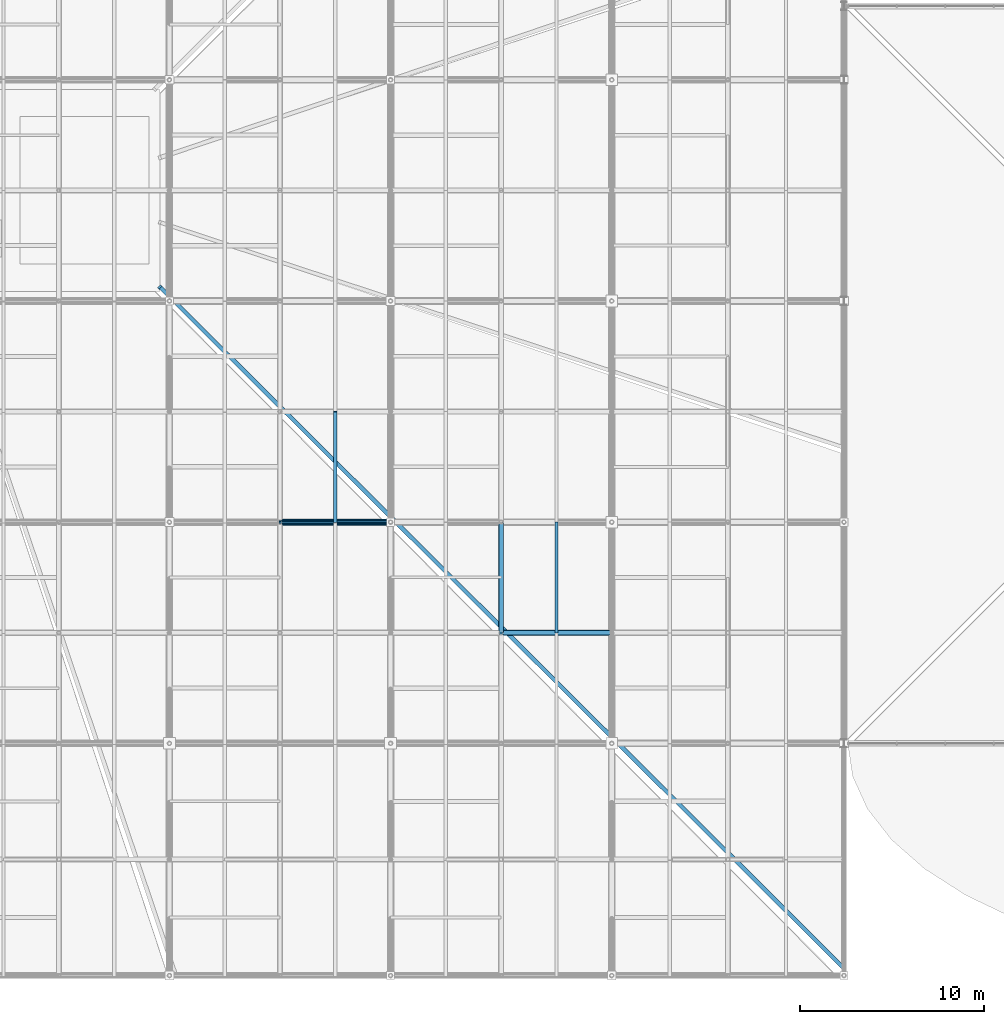
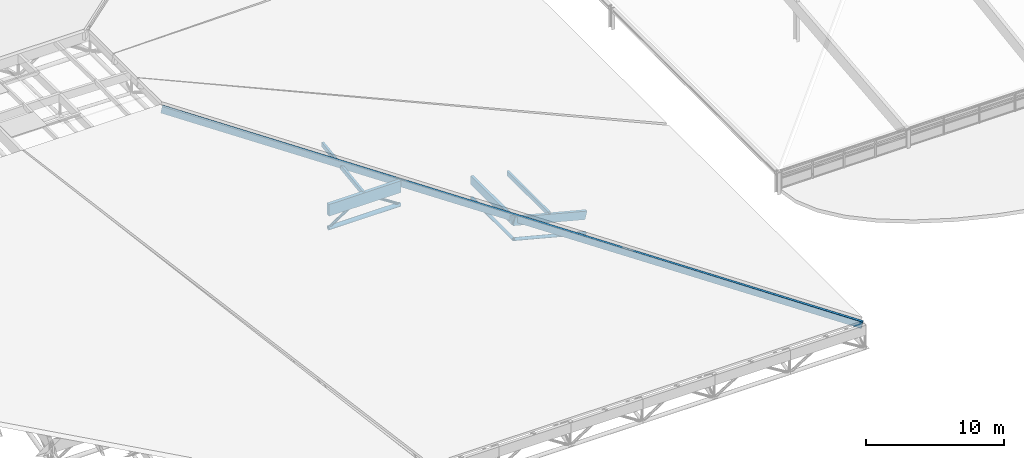
# One storey, part 30 of 80: 11 members.
"""IFC4 building model written with IfcOpenShell, lengths in metres."""

from ifc_helpers import new_model, si_unit, direction, frame, origin, origin_2d, place, context, subcontext, project, spatial, rectangle, hollow_circle, extrude, material, material_profile, profile_set, type_object, element, save


model = new_model("IFC4")

# Units and contexts
model_context = context("Model", 3, precision=1e-05, world=origin(), true_north=direction((0.0, 1.0)))
body_context = subcontext(model_context, "Body", "Model", "MODEL_VIEW")
ifc_project = project(units=[si_unit("LENGTHUNIT", "METRE"), si_unit("AREAUNIT", "SQUARE_METRE"), si_unit("VOLUMEUNIT", "CUBIC_METRE"), si_unit("PLANEANGLEUNIT", "RADIAN"), si_unit("MASSUNIT", "GRAM", prefix="KILO"), si_unit("THERMODYNAMICTEMPERATUREUNIT", "KELVIN"), si_unit("POWERUNIT", "WATT")], contexts=[model_context])

# Site, building, storey
site_placement = place(None, origin())
site = spatial("IfcSite", under=ifc_project, at=site_placement, CompositionType="ELEMENT")
building_placement = place(site_placement, origin())
building = spatial("IfcBuilding", under=site, at=building_placement, Name="Solmara Park Aquatics Centre", CompositionType="ELEMENT")
storey_placement = place(building_placement, frame((0.0, 0.0, 22.800048828125)))
storey = spatial("IfcBuildingStorey", under=building, at=storey_placement, Name="RF", CompositionType="ELEMENT", Elevation=22.800048828125)

# Members
ifc_material_1 = material(Name="Structural Steel S355", Category="steel")
ifc_material_profile_1 = material_profile(ifc_material_1, hollow_circle(Radius=0.109619140625, WallThickness=0.010009765625, at=origin_2d()), Name="CHS 219.1x10")
ifc_profile_set_1 = profile_set([ifc_material_profile_1], Name="Structural Steel S355")
member_type_1 = type_object("IfcMemberType", Name="STR-BRC-CHS219", PredefinedType="BRACE", material=ifc_profile_set_1)
for number, where, z_axis, x_axis, name in (
    (1, (78.60009765625, 24.60009765625, -8.0380859375), (0.83972779743, 0.0, 0.543007574738), (0.0, 1.0, 0.0), "Roof Truss Web Diagonal X 1729"),
    (2, (84.60009765625, 24.60009765625, -8.0380859375), (-0.83972779743, 0.0, 0.543007574738), (0.0, -1.0, 0.0), "Roof Truss Web Diagonal X 1730"),
):
    element("IfcMember", number, at=place(storey_placement, frame(where, z_axis=z_axis, x_axis=x_axis)), inside=storey, type_object=member_type_1, Name=name, PredefinedType="BRACE", context=body_context, shape_type="SweptSolid", body=[
        extrude(hollow_circle(Radius=0.109619140625, WallThickness=0.010009765625, at=origin_2d()), origin(), (0.0, 0.0, 1.0), 3.572509765625),
    ])
ifc_material_profile_2 = material_profile(ifc_material_1, hollow_circle(Radius=0.136474609375, WallThickness=0.012451171875, at=origin_2d()), Name="CHS 273x12.5")
ifc_profile_set_2 = profile_set([ifc_material_profile_2], Name="Structural Steel S355")
member_type_2 = type_object("IfcMemberType", Name="STR-CHD-CHS273", PredefinedType="CHORD", material=ifc_profile_set_2)
member_1_placement = place(storey_placement, frame((90.60009765625, 18.60009765625, -9.58984375), z_axis=(0.968155143395, 0.0, -0.250350990246), x_axis=(0.0, 1.0, 0.0)))
element("IfcMember", 3, at=member_1_placement, inside=storey, type_object=member_type_2, Name="Steel Roof Truss Bottom Chord X 0140", PredefinedType="CHORD", context=body_context, shape_type="SweptSolid", body=[
    extrude(hollow_circle(Radius=0.136474609375, WallThickness=0.012451171875, at=origin_2d()), origin(), (0.0, 0.0, 1.0), 6.197265625),
])
member_2_placement = place(storey_placement, frame((90.60009765625, 18.60009765625, -9.58984375), z_axis=(0.0, 1.0, 0.0), x_axis=(-1.0, 0.0, 0.0)))
element("IfcMember", 4, at=member_2_placement, inside=storey, type_object=member_type_2, Name="Steel Roof Truss Bottom Chord Y 0968", PredefinedType="CHORD", context=body_context, shape_type="SweptSolid", body=[
    extrude(hollow_circle(Radius=0.136474609375, WallThickness=0.012451171875, at=origin_2d()), origin(), (0.0, 0.0, 1.0), 6.0),
])
ifc_material_profile_3 = material_profile(ifc_material_1, hollow_circle(Radius=0.177734375, WallThickness=0.01611328125, at=origin_2d()), Name="CHS 355.6x16")
ifc_profile_set_3 = profile_set([ifc_material_profile_3], Name="Structural Steel S355")
member_type_3 = type_object("IfcMemberType", Name="STR-CHD-CHS355", PredefinedType="CHORD", material=ifc_profile_set_3)
member_3_placement = place(storey_placement, frame((78.60009765625, 24.60009765625, -8.0380859375), z_axis=(1.0, 0.0, 0.0), x_axis=(0.0, 1.0, 0.0)))
element("IfcMember", 5, at=member_3_placement, inside=storey, type_object=member_type_3, Name="Steel Roof Truss Bottom Chord X 0172", PredefinedType="CHORD", context=body_context, shape_type="SweptSolid", body=[
    extrude(hollow_circle(Radius=0.177734375, WallThickness=0.01611328125, at=origin_2d()), origin(), (0.0, 0.0, 1.0), 6.0),
])
ifc_material_2 = material(Name="Glulam Timber GL28h", Category="wood")
ifc_material_profile_4 = material_profile(ifc_material_2, rectangle(XDim=0.239990234375, YDim=0.719970703125, at=origin_2d()), Name="GL28h 240x720")
ifc_profile_set_4 = profile_set([ifc_material_profile_4], Name="Glulam Timber GL28h")
member_type_4 = type_object("IfcMemberType", Name="STR-CHD-GL240x720", PredefinedType="CHORD", material=ifc_profile_set_4)
member_4_placement = place(storey_placement, frame((90.60009765625, 18.60009765625, -7.9697265625), z_axis=(0.968145594442, 0.0, -0.250387914969), x_axis=(0.0, 1.0, 0.0)))
element("IfcMember", 6, at=member_4_placement, inside=storey, type_object=member_type_4, Name="Glulam Roof Truss Top Chord X 0139", PredefinedType="CHORD", context=body_context, shape_type="SweptSolid", body=[
    extrude(rectangle(XDim=0.239990234375, YDim=0.719970703125, at=origin_2d()), origin(), (0.0, 0.0, 1.0), 6.197509765625),
])
member_5_placement = place(storey_placement, frame((90.60009765625, 18.60009765625, -7.9697265625), z_axis=(0.0, 1.0, 0.0), x_axis=(-1.0, 0.0, 0.0)))
element("IfcMember", 7, at=member_5_placement, inside=storey, type_object=member_type_4, Name="Glulam Roof Truss Top Chord Y 0967", PredefinedType="CHORD", context=body_context, shape_type="SweptSolid", body=[
    extrude(rectangle(XDim=0.239990234375, YDim=0.719970703125, at=origin_2d()), origin(), (0.0, 0.0, 1.0), 6.0),
])
ifc_material_profile_5 = material_profile(ifc_material_2, rectangle(XDim=0.280029296875, YDim=1.0400390625, at=origin_2d()), Name="GL28h 280x1040")
ifc_profile_set_5 = profile_set([ifc_material_profile_5], Name="Glulam Timber GL28h")
member_type_5 = type_object("IfcMemberType", Name="STR-CHD-GL280x1040", PredefinedType="CHORD", material=ifc_profile_set_5)
member_6_placement = place(storey_placement, frame((78.60009765625, 24.60009765625, -6.41796875), z_axis=(1.0, 0.0, 0.0), x_axis=(0.0, 1.0, 0.0)))
element("IfcMember", 8, at=member_6_placement, inside=storey, type_object=member_type_5, Name="Glulam Roof Truss Top Chord X 0171", PredefinedType="CHORD", context=body_context, shape_type="SweptSolid", body=[
    extrude(rectangle(XDim=0.280029296875, YDim=1.0400390625, at=origin_2d()), origin(), (0.0, 0.0, 1.0), 6.0),
])
ifc_material_profile_6 = material_profile(ifc_material_2, rectangle(XDim=0.179931640625, YDim=0.39990234375, at=origin_2d()), Name="GL28h 180x400")
ifc_profile_set_6 = profile_set([ifc_material_profile_6], Name="Glulam Timber GL28h")
member_type_6 = type_object("IfcMemberType", Name="STR-PRL-GL180x400", PredefinedType="PURLIN", material=ifc_profile_set_6)
member_7_placement = place(storey_placement, frame((81.60009765625, 24.60009765625, -6.09814453125), z_axis=(0.0, 0.991742472473, 0.128245344137), x_axis=(-1.0, 0.0, 0.0)))
element("IfcMember", 9, at=member_7_placement, inside=storey, type_object=member_type_6, Name="Glulam Roof Purlin 1715", PredefinedType="PURLIN", context=body_context, shape_type="SweptSolid", body=[
    extrude(rectangle(XDim=0.179931640625, YDim=0.39990234375, at=origin_2d()), origin(), (0.0, 0.0, 1.0), 6.050048828125),
])
member_8_placement = place(storey_placement, frame((93.60009765625, 18.60009765625, -8.425537109375), z_axis=(0.0, 1.0, 0.0), x_axis=(-1.0, 0.0, 0.0)))
element("IfcMember", 10, at=member_8_placement, inside=storey, type_object=member_type_6, Name="Glulam Roof Purlin 1768", PredefinedType="PURLIN", context=body_context, shape_type="SweptSolid", body=[
    extrude(rectangle(XDim=0.179931640625, YDim=0.39990234375, at=origin_2d()), origin(), (0.0, 0.0, 1.0), 6.0),
])
ifc_material_profile_7 = material_profile(ifc_material_2, rectangle(XDim=0.219970703125, YDim=0.60009765625, at=origin_2d()), Name="GL28h 220x600")
ifc_profile_set_7 = profile_set([ifc_material_profile_7], Name="Glulam Timber GL28h")
member_type_7 = type_object("IfcMemberType", Name="STR-RFT-GL220x600", PredefinedType="RAFTER", material=ifc_profile_set_7)
member_9_placement = place(storey_placement, frame((109.199951171875, 0.389404296875, -12.60009765625), z_axis=(-0.696916091386, 0.69413379909, 0.180239370083), x_axis=(-0.705691058188, -0.708519675375, 0.0)))
element("IfcMember", 11, at=member_9_placement, inside=storey, type_object=member_type_7, Name="Glulam Hip Jack Rafter EAST-1", PredefinedType="RAFTER", context=body_context, shape_type="SweptSolid", body=[
    extrude(rectangle(XDim=0.219970703125, YDim=0.60009765625, at=origin_2d()), origin(), (0.0, 0.0, 1.0), 53.262939453125),
])

save(model, "model.ifc")
